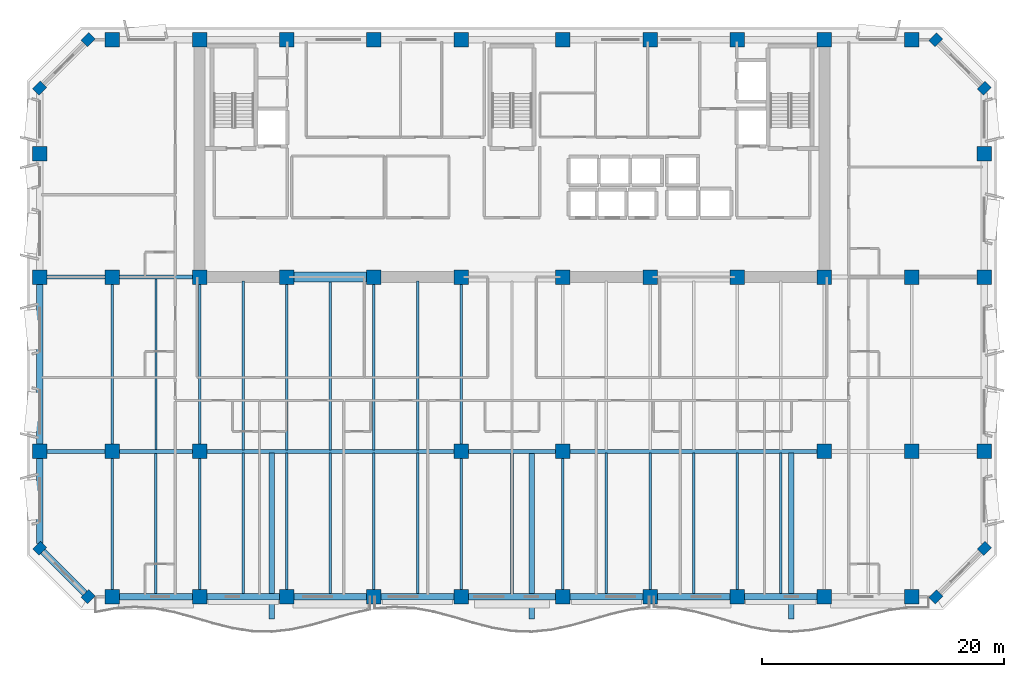
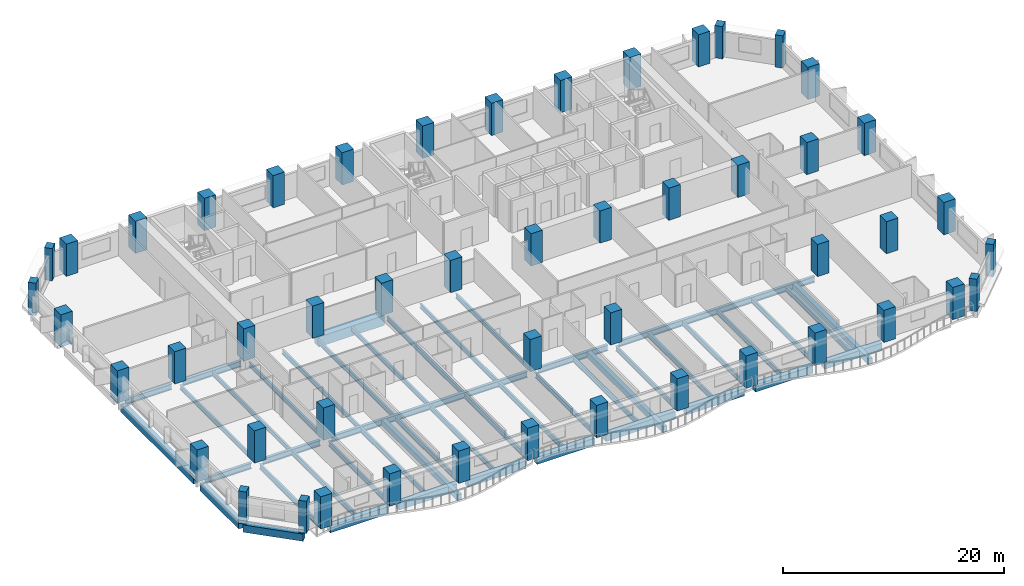
# One storey, part 1 of 14: 50 columns, 47 beams.
"""IFC4 building model written with IfcOpenShell, lengths in metres."""

from ifc_helpers import new_model, si_unit, direction, frame, origin, origin_2d, place, context, subcontext, project, spatial, rectangle, i_section, extrude, material, material_profile, profile_set, type_object, element, save


model = new_model("IFC4")

# Units and contexts
model_context = context("Model", 3, precision=1e-05, world=origin(), true_north=direction((0.0, 1.0)))
body_context = subcontext(model_context, "Body", "Model", "MODEL_VIEW")
ifc_project = project(units=[si_unit("LENGTHUNIT", "METRE"), si_unit("AREAUNIT", "SQUARE_METRE"), si_unit("VOLUMEUNIT", "CUBIC_METRE"), si_unit("PLANEANGLEUNIT", "RADIAN"), si_unit("MASSUNIT", "GRAM", prefix="KILO")], contexts=[model_context])

# Site, building, storey
site_placement = place(None, origin())
site = spatial("IfcSite", under=ifc_project, at=site_placement, CompositionType="ELEMENT")
building_placement = place(site_placement, origin())
building = spatial("IfcBuilding", under=site, at=building_placement, Name="Kaelvorn Grand Hotel", CompositionType="ELEMENT")
storey_placement = place(building_placement, frame((0.0, 0.0, 169.550048828125)))
storey = spatial("IfcBuildingStorey", under=building, at=storey_placement, Name="L41", CompositionType="ELEMENT", Elevation=169.550048828125)

# Columns
ifc_material_1 = material(Name="Concrete C60/75", Category="concrete")
ifc_material_profile_1 = material_profile(ifc_material_1, rectangle(XDim=0.89990234375, YDim=0.75, at=origin_2d()), Name="RC PILASTER 900x750")
ifc_profile_set_1 = profile_set([ifc_material_profile_1], Name="Concrete C60/75")
column_type_1 = type_object("IfcColumnType", Name="COL-PIL-900x750-C60", PredefinedType="PILASTER", material=ifc_profile_set_1)
for number, where, z_axis, x_axis, name in (
    (1, (7.0, 3.0, 0.0), (0.0, 0.0, 1.0), (0.707106781187, 0.707106781187, 0.0), "L41 Structural Column CH-01"),
    (2, (77.0, 3.0, 0.0), (0.0, 0.0, 1.0), (0.707106781187, 0.707106781187, 0.0), "L41 Structural Column CH-02"),
    (3, (81.0, 7.0, 0.0), (0.0, 0.0, 1.0), (0.707106781187, 0.707106781187, 0.0), "L41 Structural Column CH-03"),
    (4, (81.0, 45.0, 0.0), (0.0, 0.0, 1.0), (0.707106781187, 0.707106781187, 0.0), "L41 Structural Column CH-04"),
    (5, (77.0, 49.0, 0.0), (0.0, 0.0, 1.0), (0.707106781187, 0.707106781187, 0.0), "L41 Structural Column CH-05"),
    (6, (7.0, 49.0, 0.0), (0.0, 0.0, 1.0), (0.707106781187, 0.707106781187, 0.0), "L41 Structural Column CH-06"),
    (7, (3.0, 45.0, 0.0), (0.0, 0.0, 1.0), (0.707106781187, 0.707106781187, 0.0), "L41 Structural Column CH-07"),
    (8, (3.0, 7.0, 0.0), (0.0, 0.0, 1.0), (0.707106781187, 0.707106781187, 0.0), "L41 Structural Column CH-08"),
):
    element("IfcColumn", number, at=place(storey_placement, frame(where, z_axis=z_axis, x_axis=x_axis)), inside=storey, type_object=column_type_1, Name=name, PredefinedType="PILASTER", context=body_context, shape_type="SweptSolid", body=[
        extrude(rectangle(XDim=0.89990234375, YDim=0.75, at=origin_2d()), origin(), (0.0, 0.0, 1.0), 3.56005859375),
    ])
ifc_material_profile_2 = material_profile(ifc_material_1, rectangle(XDim=1.199951171875, YDim=1.199951171875, at=origin_2d()), Name="RC COL 1200x1200")
ifc_profile_set_2 = profile_set([ifc_material_profile_2], Name="Concrete C60/75")
column_type_2 = type_object("IfcColumnType", Name="COL-RC-1200-C60", PredefinedType="COLUMN", material=ifc_profile_set_2)
for number, where, z_axis, x_axis, name in (
    (9, (9.0, 3.0, 0.0), (0.0, 0.0, 1.0), (1.0, 0.0, 0.0), "L41 Structural Column S-01"),
    (10, (16.199951171875, 3.0, 0.0), (0.0, 0.0, 1.0), (1.0, 0.0, 0.0), "L41 Structural Column S-02"),
    (11, (23.39990234375, 3.0, 0.0), (0.0, 0.0, 1.0), (1.0, 0.0, 0.0), "L41 Structural Column S-03"),
    (12, (30.60009765625, 3.0, 0.0), (0.0, 0.0, 1.0), (1.0, 0.0, 0.0), "L41 Structural Column S-04"),
    (13, (37.800048828125, 3.0, 0.0), (0.0, 0.0, 1.0), (1.0, 0.0, 0.0), "L41 Structural Column S-05"),
    (14, (46.199951171875, 3.0, 0.0), (0.0, 0.0, 1.0), (1.0, 0.0, 0.0), "L41 Structural Column S-06"),
    (15, (53.39990234375, 3.0, 0.0), (0.0, 0.0, 1.0), (1.0, 0.0, 0.0), "L41 Structural Column S-07"),
    (16, (60.60009765625, 3.0, 0.0), (0.0, 0.0, 1.0), (1.0, 0.0, 0.0), "L41 Structural Column S-08"),
    (17, (67.800048828125, 3.0, 0.0), (0.0, 0.0, 1.0), (1.0, 0.0, 0.0), "L41 Structural Column S-09"),
    (18, (75.0, 3.0, 0.0), (0.0, 0.0, 1.0), (1.0, 0.0, 0.0), "L41 Structural Column S-10"),
    (19, (3.0, 15.0, 0.0), (0.0, 0.0, 1.0), (1.0, 0.0, 0.0), "L41 Structural Column W-01"),
    (20, (81.0, 15.0, 0.0), (0.0, 0.0, 1.0), (1.0, 0.0, 0.0), "L41 Structural Column E-01"),
    (21, (3.0, 29.39990234375, 0.0), (0.0, 0.0, 1.0), (1.0, 0.0, 0.0), "L41 Structural Column W-02"),
    (22, (81.0, 29.39990234375, 0.0), (0.0, 0.0, 1.0), (1.0, 0.0, 0.0), "L41 Structural Column E-02"),
    (23, (3.0, 39.60009765625, 0.0), (0.0, 0.0, 1.0), (1.0, 0.0, 0.0), "L41 Structural Column W-03"),
    (24, (81.0, 39.60009765625, 0.0), (0.0, 0.0, 1.0), (1.0, 0.0, 0.0), "L41 Structural Column E-03"),
    (25, (9.0, 15.0, 0.0), (0.0, 0.0, 1.0), (1.0, 0.0, 0.0), "L41 Structural Column M-01"),
    (26, (16.199951171875, 15.0, 0.0), (0.0, 0.0, 1.0), (1.0, 0.0, 0.0), "L41 Structural Column M-02"),
    (27, (37.800048828125, 15.0, 0.0), (0.0, 0.0, 1.0), (1.0, 0.0, 0.0), "L41 Structural Column M-03"),
    (28, (46.199951171875, 15.0, 0.0), (0.0, 0.0, 1.0), (1.0, 0.0, 0.0), "L41 Structural Column M-04"),
    (29, (67.800048828125, 15.0, 0.0), (0.0, 0.0, 1.0), (1.0, 0.0, 0.0), "L41 Structural Column M-05"),
    (30, (75.0, 15.0, 0.0), (0.0, 0.0, 1.0), (1.0, 0.0, 0.0), "L41 Structural Column M-06"),
    (31, (9.0, 29.39990234375, 0.0), (0.0, 0.0, 1.0), (1.0, 0.0, 0.0), "L41 Structural Column CR1-01"),
    (32, (9.0, 49.0, 0.0), (0.0, 0.0, 1.0), (1.0, 0.0, 0.0), "L41 Structural Column CR2-01"),
    (33, (16.199951171875, 29.39990234375, 0.0), (0.0, 0.0, 1.0), (1.0, 0.0, 0.0), "L41 Structural Column CR1-02"),
    (34, (16.199951171875, 49.0, 0.0), (0.0, 0.0, 1.0), (1.0, 0.0, 0.0), "L41 Structural Column CR2-02"),
    (35, (23.39990234375, 29.39990234375, 0.0), (0.0, 0.0, 1.0), (1.0, 0.0, 0.0), "L41 Structural Column CR1-03"),
    (36, (23.39990234375, 49.0, 0.0), (0.0, 0.0, 1.0), (1.0, 0.0, 0.0), "L41 Structural Column CR2-03"),
    (37, (30.60009765625, 29.39990234375, 0.0), (0.0, 0.0, 1.0), (1.0, 0.0, 0.0), "L41 Structural Column CR1-04"),
    (38, (30.60009765625, 49.0, 0.0), (0.0, 0.0, 1.0), (1.0, 0.0, 0.0), "L41 Structural Column CR2-04"),
    (39, (37.800048828125, 29.39990234375, 0.0), (0.0, 0.0, 1.0), (1.0, 0.0, 0.0), "L41 Structural Column CR1-05"),
    (40, (37.800048828125, 49.0, 0.0), (0.0, 0.0, 1.0), (1.0, 0.0, 0.0), "L41 Structural Column CR2-05"),
    (41, (46.199951171875, 29.39990234375, 0.0), (0.0, 0.0, 1.0), (1.0, 0.0, 0.0), "L41 Structural Column CR1-06"),
    (42, (46.199951171875, 49.0, 0.0), (0.0, 0.0, 1.0), (1.0, 0.0, 0.0), "L41 Structural Column CR2-06"),
    (43, (53.39990234375, 29.39990234375, 0.0), (0.0, 0.0, 1.0), (1.0, 0.0, 0.0), "L41 Structural Column CR1-07"),
    (44, (53.39990234375, 49.0, 0.0), (0.0, 0.0, 1.0), (1.0, 0.0, 0.0), "L41 Structural Column CR2-07"),
    (45, (60.60009765625, 29.39990234375, 0.0), (0.0, 0.0, 1.0), (1.0, 0.0, 0.0), "L41 Structural Column CR1-08"),
    (46, (60.60009765625, 49.0, 0.0), (0.0, 0.0, 1.0), (1.0, 0.0, 0.0), "L41 Structural Column CR2-08"),
    (47, (67.800048828125, 29.39990234375, 0.0), (0.0, 0.0, 1.0), (1.0, 0.0, 0.0), "L41 Structural Column CR1-09"),
    (48, (67.800048828125, 49.0, 0.0), (0.0, 0.0, 1.0), (1.0, 0.0, 0.0), "L41 Structural Column CR2-09"),
    (49, (75.0, 29.39990234375, 0.0), (0.0, 0.0, 1.0), (1.0, 0.0, 0.0), "L41 Structural Column CR1-10"),
    (50, (75.0, 49.0, 0.0), (0.0, 0.0, 1.0), (1.0, 0.0, 0.0), "L41 Structural Column CR2-10"),
):
    element("IfcColumn", number, at=place(storey_placement, frame(where, z_axis=z_axis, x_axis=x_axis)), inside=storey, type_object=column_type_2, Name=name, PredefinedType="COLUMN", context=body_context, shape_type="SweptSolid", body=[
        extrude(rectangle(XDim=1.199951171875, YDim=1.199951171875, at=origin_2d()), origin(), (0.0, 0.0, 1.0), 3.56005859375),
    ])

# Beams
ifc_material_2 = material(Name="Steel S355", Category="steel")
ifc_material_profile_3 = material_profile(ifc_material_2, i_section(OverallWidth=0.300048828125, OverallDepth=0.64990234375, WebThickness=0.01611328125, FlangeThickness=0.031005859375, FilletRadius=0.027099609375, at=origin_2d()), Name="HEB 650")
ifc_profile_set_3 = profile_set([ifc_material_profile_3], Name="Steel S355")
beam_type_1 = type_object("IfcBeamType", Name="BM-G-HEB650-S355", PredefinedType="BEAM", material=ifc_profile_set_3)
beam_1_placement = place(storey_placement, frame((3.5849609375, 15.0, -0.56494140625), z_axis=(1.0, 0.0, 0.0), x_axis=(0.0, 1.0, 0.0)))
element("IfcBeam", 51, at=beam_1_placement, inside=storey, type_object=beam_type_1, Name="L41 Primary Spine Steel Girder G-15 01", PredefinedType="BEAM", context=body_context, shape_type="SweptSolid", body=[
    extrude(i_section(OverallWidth=0.300048828125, OverallDepth=0.64990234375, WebThickness=0.01611328125, FlangeThickness=0.031005859375, FilletRadius=0.027099609375, at=origin_2d()), origin(), (0.0, 0.0, 1.0), 4.830078125),
])
beam_2_placement = place(storey_placement, frame((9.5849609375, 15.0, -0.56494140625), z_axis=(1.0, 0.0, 0.0), x_axis=(0.0, 1.0, 0.0)))
element("IfcBeam", 52, at=beam_2_placement, inside=storey, type_object=beam_type_1, Name="L41 Primary Spine Steel Girder G-15 02", PredefinedType="BEAM", context=body_context, shape_type="SweptSolid", body=[
    extrude(i_section(OverallWidth=0.300048828125, OverallDepth=0.64990234375, WebThickness=0.01611328125, FlangeThickness=0.031005859375, FilletRadius=0.027099609375, at=origin_2d()), origin(), (0.0, 0.0, 1.0), 6.030029296875),
])
beam_3_placement = place(storey_placement, frame((16.784912109375, 15.0, -0.56494140625), z_axis=(1.0, 0.0, 0.0), x_axis=(0.0, 1.0, 0.0)))
element("IfcBeam", 53, at=beam_3_placement, inside=storey, type_object=beam_type_1, Name="L41 Primary Spine Steel Girder G-15 03", PredefinedType="BEAM", context=body_context, shape_type="SweptSolid", body=[
    extrude(i_section(OverallWidth=0.300048828125, OverallDepth=0.64990234375, WebThickness=0.01611328125, FlangeThickness=0.031005859375, FilletRadius=0.027099609375, at=origin_2d()), origin(), (0.0, 0.0, 1.0), 20.43017578125),
])
beam_4_placement = place(storey_placement, frame((38.385009765625, 15.0, -0.56494140625), z_axis=(1.0, 0.0, 0.0), x_axis=(0.0, 1.0, 0.0)))
element("IfcBeam", 54, at=beam_4_placement, inside=storey, type_object=beam_type_1, Name="L41 Primary Spine Steel Girder G-15 04", PredefinedType="BEAM", context=body_context, shape_type="SweptSolid", body=[
    extrude(i_section(OverallWidth=0.300048828125, OverallDepth=0.64990234375, WebThickness=0.01611328125, FlangeThickness=0.031005859375, FilletRadius=0.027099609375, at=origin_2d()), origin(), (0.0, 0.0, 1.0), 7.22998046875),
])
beam_5_placement = place(storey_placement, frame((46.784912109375, 15.0, -0.56494140625), z_axis=(1.0, 0.0, 0.0), x_axis=(0.0, 1.0, 0.0)))
element("IfcBeam", 55, at=beam_5_placement, inside=storey, type_object=beam_type_1, Name="L41 Primary Spine Steel Girder G-15 05", PredefinedType="BEAM", context=body_context, shape_type="SweptSolid", body=[
    extrude(i_section(OverallWidth=0.300048828125, OverallDepth=0.64990234375, WebThickness=0.01611328125, FlangeThickness=0.031005859375, FilletRadius=0.027099609375, at=origin_2d()), origin(), (0.0, 0.0, 1.0), 20.43017578125),
])
beam_6_placement = place(storey_placement, frame((3.5849609375, 29.39990234375, -0.56494140625), z_axis=(1.0, 0.0, 0.0), x_axis=(0.0, 1.0, 0.0)))
element("IfcBeam", 56, at=beam_6_placement, inside=storey, type_object=beam_type_1, Name="L41 West Core Wing Steel Girder G-29W 01", PredefinedType="BEAM", context=body_context, shape_type="SweptSolid", body=[
    extrude(i_section(OverallWidth=0.300048828125, OverallDepth=0.64990234375, WebThickness=0.01611328125, FlangeThickness=0.031005859375, FilletRadius=0.027099609375, at=origin_2d()), origin(), (0.0, 0.0, 1.0), 4.830078125),
])
beam_7_placement = place(storey_placement, frame((9.5849609375, 29.39990234375, -0.56494140625), z_axis=(1.0, 0.0, 0.0), x_axis=(0.0, 1.0, 0.0)))
element("IfcBeam", 57, at=beam_7_placement, inside=storey, type_object=beam_type_1, Name="L41 West Core Wing Steel Girder G-29W 02", PredefinedType="BEAM", context=body_context, shape_type="SweptSolid", body=[
    extrude(i_section(OverallWidth=0.300048828125, OverallDepth=0.64990234375, WebThickness=0.01611328125, FlangeThickness=0.031005859375, FilletRadius=0.027099609375, at=origin_2d()), origin(), (0.0, 0.0, 1.0), 6.030029296875),
])
ifc_material_profile_4 = material_profile(ifc_material_2, i_section(OverallWidth=0.199951171875, OverallDepth=0.5, WebThickness=0.01025390625, FlangeThickness=0.01611328125, FilletRadius=0.02099609375, at=origin_2d()), Name="IPE 500")
ifc_profile_set_4 = profile_set([ifc_material_profile_4], Name="Steel S355")
beam_type_2 = type_object("IfcBeamType", Name="BM-J-IPE500-S355", PredefinedType="JOIST", material=ifc_profile_set_4)
beam_8_placement = place(storey_placement, frame((9.0, 15.5849609375, -0.489990234375), z_axis=(0.0, 1.0, 0.0), x_axis=(-1.0, 0.0, 0.0)))
element("IfcBeam", 58, at=beam_8_placement, inside=storey, type_object=beam_type_2, Name="L41 Composite Floor Joist JM-03", PredefinedType="JOIST", context=body_context, shape_type="SweptSolid", body=[
    extrude(i_section(OverallWidth=0.199951171875, OverallDepth=0.5, WebThickness=0.01025390625, FlangeThickness=0.01611328125, FilletRadius=0.02099609375, at=origin_2d()), origin(), (0.0, 0.0, 1.0), 13.22998046875),
])
beam_9_placement = place(storey_placement, frame((12.60009765625, 15.135009765625, -0.489990234375), z_axis=(0.0, 1.0, 0.0), x_axis=(-1.0, 0.0, 0.0)))
element("IfcBeam", 59, at=beam_9_placement, inside=storey, type_object=beam_type_2, Name="L41 Composite Floor Joist JM-04", PredefinedType="JOIST", context=body_context, shape_type="SweptSolid", body=[
    extrude(i_section(OverallWidth=0.199951171875, OverallDepth=0.5, WebThickness=0.01025390625, FlangeThickness=0.01611328125, FilletRadius=0.02099609375, at=origin_2d()), origin(), (0.0, 0.0, 1.0), 14.1298828125),
])
beam_10_placement = place(storey_placement, frame((16.199951171875, 15.5849609375, -0.489990234375), z_axis=(0.0, 1.0, 0.0), x_axis=(-1.0, 0.0, 0.0)))
element("IfcBeam", 60, at=beam_10_placement, inside=storey, type_object=beam_type_2, Name="L41 Composite Floor Joist JM-05", PredefinedType="JOIST", context=body_context, shape_type="SweptSolid", body=[
    extrude(i_section(OverallWidth=0.199951171875, OverallDepth=0.5, WebThickness=0.01025390625, FlangeThickness=0.01611328125, FilletRadius=0.02099609375, at=origin_2d()), origin(), (0.0, 0.0, 1.0), 13.22998046875),
])
beam_11_placement = place(storey_placement, frame((19.800048828125, 15.135009765625, -0.489990234375), z_axis=(0.0, 1.0, 0.0), x_axis=(-1.0, 0.0, 0.0)))
element("IfcBeam", 61, at=beam_11_placement, inside=storey, type_object=beam_type_2, Name="L41 Composite Floor Joist JM-06", PredefinedType="JOIST", context=body_context, shape_type="SweptSolid", body=[
    extrude(i_section(OverallWidth=0.199951171875, OverallDepth=0.5, WebThickness=0.01025390625, FlangeThickness=0.01611328125, FilletRadius=0.02099609375, at=origin_2d()), origin(), (0.0, 0.0, 1.0), 13.925048828125),
])
beam_12_placement = place(storey_placement, frame((23.39990234375, 15.135009765625, -0.489990234375), z_axis=(0.0, 1.0, 0.0), x_axis=(-1.0, 0.0, 0.0)))
element("IfcBeam", 62, at=beam_12_placement, inside=storey, type_object=beam_type_2, Name="L41 Composite Floor Joist JM-07", PredefinedType="JOIST", context=body_context, shape_type="SweptSolid", body=[
    extrude(i_section(OverallWidth=0.199951171875, OverallDepth=0.5, WebThickness=0.01025390625, FlangeThickness=0.01611328125, FilletRadius=0.02099609375, at=origin_2d()), origin(), (0.0, 0.0, 1.0), 13.679931640625),
])
beam_13_placement = place(storey_placement, frame((27.0, 15.135009765625, -0.489990234375), z_axis=(0.0, 1.0, 0.0), x_axis=(-1.0, 0.0, 0.0)))
element("IfcBeam", 63, at=beam_13_placement, inside=storey, type_object=beam_type_2, Name="L41 Composite Floor Joist JM-08", PredefinedType="JOIST", context=body_context, shape_type="SweptSolid", body=[
    extrude(i_section(OverallWidth=0.199951171875, OverallDepth=0.5, WebThickness=0.01025390625, FlangeThickness=0.01611328125, FilletRadius=0.02099609375, at=origin_2d()), origin(), (0.0, 0.0, 1.0), 13.925048828125),
])
beam_14_placement = place(storey_placement, frame((30.60009765625, 15.135009765625, -0.489990234375), z_axis=(0.0, 1.0, 0.0), x_axis=(-1.0, 0.0, 0.0)))
element("IfcBeam", 64, at=beam_14_placement, inside=storey, type_object=beam_type_2, Name="L41 Composite Floor Joist JM-09", PredefinedType="JOIST", context=body_context, shape_type="SweptSolid", body=[
    extrude(i_section(OverallWidth=0.199951171875, OverallDepth=0.5, WebThickness=0.01025390625, FlangeThickness=0.01611328125, FilletRadius=0.02099609375, at=origin_2d()), origin(), (0.0, 0.0, 1.0), 13.679931640625),
])
beam_15_placement = place(storey_placement, frame((34.199951171875, 15.135009765625, -0.489990234375), z_axis=(0.0, 1.0, 0.0), x_axis=(-1.0, 0.0, 0.0)))
element("IfcBeam", 65, at=beam_15_placement, inside=storey, type_object=beam_type_2, Name="L41 Composite Floor Joist JM-10", PredefinedType="JOIST", context=body_context, shape_type="SweptSolid", body=[
    extrude(i_section(OverallWidth=0.199951171875, OverallDepth=0.5, WebThickness=0.01025390625, FlangeThickness=0.01611328125, FilletRadius=0.02099609375, at=origin_2d()), origin(), (0.0, 0.0, 1.0), 13.925048828125),
])
beam_16_placement = place(storey_placement, frame((37.800048828125, 15.5849609375, -0.489990234375), z_axis=(0.0, 1.0, 0.0), x_axis=(-1.0, 0.0, 0.0)))
element("IfcBeam", 66, at=beam_16_placement, inside=storey, type_object=beam_type_2, Name="L41 Composite Floor Joist JM-11", PredefinedType="JOIST", context=body_context, shape_type="SweptSolid", body=[
    extrude(i_section(OverallWidth=0.199951171875, OverallDepth=0.5, WebThickness=0.01025390625, FlangeThickness=0.01611328125, FilletRadius=0.02099609375, at=origin_2d()), origin(), (0.0, 0.0, 1.0), 13.22998046875),
])
ifc_material_profile_5 = material_profile(ifc_material_2, i_section(OverallWidth=0.2099609375, OverallDepth=0.550048828125, WebThickness=0.010986328125, FlangeThickness=0.01708984375, FilletRadius=0.02392578125, at=origin_2d()), Name="IPE 550")
ifc_profile_set_5 = profile_set([ifc_material_profile_5], Name="Steel S355")
beam_type_3 = type_object("IfcBeamType", Name="BM-J-IPE550-S355", PredefinedType="JOIST", material=ifc_profile_set_5)
beam_17_placement = place(storey_placement, frame((9.0, 3.5849609375, -0.51513671875), z_axis=(0.0, 1.0, 0.0), x_axis=(-1.0, 0.0, 0.0)))
element("IfcBeam", 67, at=beam_17_placement, inside=storey, type_object=beam_type_3, Name="L41 Composite Floor Joist JS-03", PredefinedType="JOIST", context=body_context, shape_type="SweptSolid", body=[
    extrude(i_section(OverallWidth=0.2099609375, OverallDepth=0.550048828125, WebThickness=0.010986328125, FlangeThickness=0.01708984375, FilletRadius=0.02392578125, at=origin_2d()), origin(), (0.0, 0.0, 1.0), 10.830078125),
])
beam_18_placement = place(storey_placement, frame((12.60009765625, 3.260009765625, -0.51513671875), z_axis=(0.0, 1.0, 0.0), x_axis=(-1.0, 0.0, 0.0)))
element("IfcBeam", 68, at=beam_18_placement, inside=storey, type_object=beam_type_3, Name="L41 Composite Floor Joist JS-04", PredefinedType="JOIST", context=body_context, shape_type="SweptSolid", body=[
    extrude(i_section(OverallWidth=0.2099609375, OverallDepth=0.550048828125, WebThickness=0.010986328125, FlangeThickness=0.01708984375, FilletRadius=0.02392578125, at=origin_2d()), origin(), (0.0, 0.0, 1.0), 11.60498046875),
])
beam_19_placement = place(storey_placement, frame((16.199951171875, 3.5849609375, -0.51513671875), z_axis=(0.0, 1.0, 0.0), x_axis=(-1.0, 0.0, 0.0)))
element("IfcBeam", 69, at=beam_19_placement, inside=storey, type_object=beam_type_3, Name="L41 Composite Floor Joist JS-05", PredefinedType="JOIST", context=body_context, shape_type="SweptSolid", body=[
    extrude(i_section(OverallWidth=0.2099609375, OverallDepth=0.550048828125, WebThickness=0.010986328125, FlangeThickness=0.01708984375, FilletRadius=0.02392578125, at=origin_2d()), origin(), (0.0, 0.0, 1.0), 10.830078125),
])
beam_20_placement = place(storey_placement, frame((19.800048828125, 3.260009765625, -0.51513671875), z_axis=(0.0, 1.0, 0.0), x_axis=(-1.0, 0.0, 0.0)))
element("IfcBeam", 70, at=beam_20_placement, inside=storey, type_object=beam_type_3, Name="L41 Composite Floor Joist JS-06", PredefinedType="JOIST", context=body_context, shape_type="SweptSolid", body=[
    extrude(i_section(OverallWidth=0.2099609375, OverallDepth=0.550048828125, WebThickness=0.010986328125, FlangeThickness=0.01708984375, FilletRadius=0.02392578125, at=origin_2d()), origin(), (0.0, 0.0, 1.0), 11.60498046875),
])
beam_21_placement = place(storey_placement, frame((23.39990234375, 3.5849609375, -0.51513671875), z_axis=(0.0, 1.0, 0.0), x_axis=(-1.0, 0.0, 0.0)))
element("IfcBeam", 71, at=beam_21_placement, inside=storey, type_object=beam_type_3, Name="L41 Composite Floor Joist JS-07", PredefinedType="JOIST", context=body_context, shape_type="SweptSolid", body=[
    extrude(i_section(OverallWidth=0.2099609375, OverallDepth=0.550048828125, WebThickness=0.010986328125, FlangeThickness=0.01708984375, FilletRadius=0.02392578125, at=origin_2d()), origin(), (0.0, 0.0, 1.0), 11.280029296875),
])
beam_22_placement = place(storey_placement, frame((27.0, 3.260009765625, -0.51513671875), z_axis=(0.0, 1.0, 0.0), x_axis=(-1.0, 0.0, 0.0)))
element("IfcBeam", 72, at=beam_22_placement, inside=storey, type_object=beam_type_3, Name="L41 Composite Floor Joist JS-08", PredefinedType="JOIST", context=body_context, shape_type="SweptSolid", body=[
    extrude(i_section(OverallWidth=0.2099609375, OverallDepth=0.550048828125, WebThickness=0.010986328125, FlangeThickness=0.01708984375, FilletRadius=0.02392578125, at=origin_2d()), origin(), (0.0, 0.0, 1.0), 11.60498046875),
])
beam_23_placement = place(storey_placement, frame((30.60009765625, 3.5849609375, -0.51513671875), z_axis=(0.0, 1.0, 0.0), x_axis=(-1.0, 0.0, 0.0)))
element("IfcBeam", 73, at=beam_23_placement, inside=storey, type_object=beam_type_3, Name="L41 Composite Floor Joist JS-09", PredefinedType="JOIST", context=body_context, shape_type="SweptSolid", body=[
    extrude(i_section(OverallWidth=0.2099609375, OverallDepth=0.550048828125, WebThickness=0.010986328125, FlangeThickness=0.01708984375, FilletRadius=0.02392578125, at=origin_2d()), origin(), (0.0, 0.0, 1.0), 11.280029296875),
])
beam_24_placement = place(storey_placement, frame((34.199951171875, 3.260009765625, -0.51513671875), z_axis=(0.0, 1.0, 0.0), x_axis=(-1.0, 0.0, 0.0)))
element("IfcBeam", 74, at=beam_24_placement, inside=storey, type_object=beam_type_3, Name="L41 Composite Floor Joist JS-10", PredefinedType="JOIST", context=body_context, shape_type="SweptSolid", body=[
    extrude(i_section(OverallWidth=0.2099609375, OverallDepth=0.550048828125, WebThickness=0.010986328125, FlangeThickness=0.01708984375, FilletRadius=0.02392578125, at=origin_2d()), origin(), (0.0, 0.0, 1.0), 11.60498046875),
])
beam_25_placement = place(storey_placement, frame((37.800048828125, 3.5849609375, -0.51513671875), z_axis=(0.0, 1.0, 0.0), x_axis=(-1.0, 0.0, 0.0)))
element("IfcBeam", 75, at=beam_25_placement, inside=storey, type_object=beam_type_3, Name="L41 Composite Floor Joist JS-11", PredefinedType="JOIST", context=body_context, shape_type="SweptSolid", body=[
    extrude(i_section(OverallWidth=0.2099609375, OverallDepth=0.550048828125, WebThickness=0.010986328125, FlangeThickness=0.01708984375, FilletRadius=0.02392578125, at=origin_2d()), origin(), (0.0, 0.0, 1.0), 10.830078125),
])
beam_26_placement = place(storey_placement, frame((42.0, 3.260009765625, -0.51513671875), z_axis=(0.0, 1.0, 0.0), x_axis=(-1.0, 0.0, 0.0)))
element("IfcBeam", 76, at=beam_26_placement, inside=storey, type_object=beam_type_3, Name="L41 Composite Floor Joist JS-12", PredefinedType="JOIST", context=body_context, shape_type="SweptSolid", body=[
    extrude(i_section(OverallWidth=0.2099609375, OverallDepth=0.550048828125, WebThickness=0.010986328125, FlangeThickness=0.01708984375, FilletRadius=0.02392578125, at=origin_2d()), origin(), (0.0, 0.0, 1.0), 11.60498046875),
])
beam_27_placement = place(storey_placement, frame((46.199951171875, 3.5849609375, -0.51513671875), z_axis=(0.0, 1.0, 0.0), x_axis=(-1.0, 0.0, 0.0)))
element("IfcBeam", 77, at=beam_27_placement, inside=storey, type_object=beam_type_3, Name="L41 Composite Floor Joist JS-13", PredefinedType="JOIST", context=body_context, shape_type="SweptSolid", body=[
    extrude(i_section(OverallWidth=0.2099609375, OverallDepth=0.550048828125, WebThickness=0.010986328125, FlangeThickness=0.01708984375, FilletRadius=0.02392578125, at=origin_2d()), origin(), (0.0, 0.0, 1.0), 10.830078125),
])
beam_28_placement = place(storey_placement, frame((49.800048828125, 3.260009765625, -0.51513671875), z_axis=(0.0, 1.0, 0.0), x_axis=(-1.0, 0.0, 0.0)))
element("IfcBeam", 78, at=beam_28_placement, inside=storey, type_object=beam_type_3, Name="L41 Composite Floor Joist JS-14", PredefinedType="JOIST", context=body_context, shape_type="SweptSolid", body=[
    extrude(i_section(OverallWidth=0.2099609375, OverallDepth=0.550048828125, WebThickness=0.010986328125, FlangeThickness=0.01708984375, FilletRadius=0.02392578125, at=origin_2d()), origin(), (0.0, 0.0, 1.0), 11.60498046875),
])
beam_29_placement = place(storey_placement, frame((53.39990234375, 3.5849609375, -0.51513671875), z_axis=(0.0, 1.0, 0.0), x_axis=(-1.0, 0.0, 0.0)))
element("IfcBeam", 79, at=beam_29_placement, inside=storey, type_object=beam_type_3, Name="L41 Composite Floor Joist JS-15", PredefinedType="JOIST", context=body_context, shape_type="SweptSolid", body=[
    extrude(i_section(OverallWidth=0.2099609375, OverallDepth=0.550048828125, WebThickness=0.010986328125, FlangeThickness=0.01708984375, FilletRadius=0.02392578125, at=origin_2d()), origin(), (0.0, 0.0, 1.0), 11.280029296875),
])
beam_30_placement = place(storey_placement, frame((57.0, 3.260009765625, -0.51513671875), z_axis=(0.0, 1.0, 0.0), x_axis=(-1.0, 0.0, 0.0)))
element("IfcBeam", 80, at=beam_30_placement, inside=storey, type_object=beam_type_3, Name="L41 Composite Floor Joist JS-16", PredefinedType="JOIST", context=body_context, shape_type="SweptSolid", body=[
    extrude(i_section(OverallWidth=0.2099609375, OverallDepth=0.550048828125, WebThickness=0.010986328125, FlangeThickness=0.01708984375, FilletRadius=0.02392578125, at=origin_2d()), origin(), (0.0, 0.0, 1.0), 11.60498046875),
])
beam_31_placement = place(storey_placement, frame((60.60009765625, 3.5849609375, -0.51513671875), z_axis=(0.0, 1.0, 0.0), x_axis=(-1.0, 0.0, 0.0)))
element("IfcBeam", 81, at=beam_31_placement, inside=storey, type_object=beam_type_3, Name="L41 Composite Floor Joist JS-17", PredefinedType="JOIST", context=body_context, shape_type="SweptSolid", body=[
    extrude(i_section(OverallWidth=0.2099609375, OverallDepth=0.550048828125, WebThickness=0.010986328125, FlangeThickness=0.01708984375, FilletRadius=0.02392578125, at=origin_2d()), origin(), (0.0, 0.0, 1.0), 11.280029296875),
])
beam_32_placement = place(storey_placement, frame((64.199951171875, 3.260009765625, -0.51513671875), z_axis=(0.0, 1.0, 0.0), x_axis=(-1.0, 0.0, 0.0)))
element("IfcBeam", 82, at=beam_32_placement, inside=storey, type_object=beam_type_3, Name="L41 Composite Floor Joist JS-18", PredefinedType="JOIST", context=body_context, shape_type="SweptSolid", body=[
    extrude(i_section(OverallWidth=0.2099609375, OverallDepth=0.550048828125, WebThickness=0.010986328125, FlangeThickness=0.01708984375, FilletRadius=0.02392578125, at=origin_2d()), origin(), (0.0, 0.0, 1.0), 11.60498046875),
])
ifc_material_profile_6 = material_profile(ifc_material_1, rectangle(XDim=0.800048828125, YDim=1.10009765625, at=origin_2d()), Name="RC LINTEL 800x1100")
ifc_profile_set_6 = profile_set([ifc_material_profile_6], Name="Concrete C60/75")
beam_type_4 = type_object("IfcBeamType", Name="BM-LIN-800x1100-C60", PredefinedType="LINTEL", material=ifc_profile_set_6)
beam_33_placement = place(storey_placement, frame((23.580078125, 29.39990234375, -0.7900390625), z_axis=(1.0, 0.0, 0.0), x_axis=(0.0, 1.0, 0.0)))
element("IfcBeam", 83, at=beam_33_placement, inside=storey, type_object=beam_type_4, Name="L41 Rear-Core Coupling Lintel Beam CB1-01", PredefinedType="LINTEL", context=body_context, shape_type="SweptSolid", body=[
    extrude(rectangle(XDim=0.800048828125, YDim=1.10009765625, at=origin_2d()), origin(), (0.0, 0.0, 1.0), 6.83984375),
])
ifc_material_3 = material(Name="Concrete C40/50", Category="concrete")
ifc_material_profile_7 = material_profile(ifc_material_3, rectangle(XDim=0.449951171875, YDim=0.64990234375, at=origin_2d()), Name="RC RIB 450x650")
ifc_profile_set_7 = profile_set([ifc_material_profile_7], Name="Concrete C40/50")
beam_type_5 = type_object("IfcBeamType", Name="BM-RIB-450x650-C40", PredefinedType="SPANDREL", material=ifc_profile_set_7)
for number, where, z_axis, x_axis, name in (
    (84, (22.17138671875, 1.14990234375, -0.545166015625), (0.0, 1.0, 0.0), (-1.0, 0.0, 0.0), "L41 Cantilevered Balcony Back-Span Rib RB1-1"),
    (85, (43.618896484375, 1.14990234375, -0.545166015625), (0.0, 1.0, 0.0), (-1.0, 0.0, 0.0), "L41 Cantilevered Balcony Back-Span Rib RB1-2"),
    (86, (65.066650390625, 1.14990234375, -0.545166015625), (0.0, 1.0, 0.0), (-1.0, 0.0, 0.0), "L41 Cantilevered Balcony Back-Span Rib RB1-3"),
):
    element("IfcBeam", number, at=place(storey_placement, frame(where, z_axis=z_axis, x_axis=x_axis)), inside=storey, type_object=beam_type_5, Name=name, PredefinedType="SPANDREL", context=body_context, shape_type="SweptSolid", body=[
        extrude(rectangle(XDim=0.449951171875, YDim=0.64990234375, at=origin_2d()), origin(), (0.0, 0.0, 1.0), 13.715087890625),
    ])
ifc_material_4 = material(Name="Concrete C50/60", Category="concrete")
ifc_material_profile_8 = material_profile(ifc_material_4, rectangle(XDim=0.550048828125, YDim=0.800048828125, at=origin_2d()), Name="RC SPANDREL 550x800")
ifc_profile_set_8 = profile_set([ifc_material_profile_8], Name="Concrete C50/60")
beam_type_6 = type_object("IfcBeamType", Name="BM-SP-550x800-C50", PredefinedType="SPANDREL", material=ifc_profile_set_8)
for number, where, z_axis, x_axis, name in (
    (87, (9.5849609375, 3.0, -0.64013671875), (1.0, 0.0, 0.0), (0.0, 1.0, 0.0), "L41 South Perimeter Spandrel 02"),
    (88, (16.784912109375, 3.0, -0.64013671875), (1.0, 0.0, 0.0), (0.0, 1.0, 0.0), "L41 South Perimeter Spandrel 03"),
):
    element("IfcBeam", number, at=place(storey_placement, frame(where, z_axis=z_axis, x_axis=x_axis)), inside=storey, type_object=beam_type_6, Name=name, PredefinedType="SPANDREL", context=body_context, shape_type="SweptSolid", body=[
        extrude(rectangle(XDim=0.550048828125, YDim=0.800048828125, at=origin_2d()), origin(), (0.0, 0.0, 1.0), 6.030029296875),
    ])
beam_34_placement = place(storey_placement, frame((23.985107421875, 3.0, -0.64013671875), z_axis=(1.0, 0.0, 0.0), x_axis=(0.0, 1.0, 0.0)))
element("IfcBeam", 89, at=beam_34_placement, inside=storey, type_object=beam_type_6, Name="L41 South Perimeter Spandrel 04", PredefinedType="SPANDREL", context=body_context, shape_type="SweptSolid", body=[
    extrude(rectangle(XDim=0.550048828125, YDim=0.800048828125, at=origin_2d()), origin(), (0.0, 0.0, 1.0), 6.02978515625),
])
beam_35_placement = place(storey_placement, frame((31.18505859375, 3.0, -0.64013671875), z_axis=(1.0, 0.0, 0.0), x_axis=(0.0, 1.0, 0.0)))
element("IfcBeam", 90, at=beam_35_placement, inside=storey, type_object=beam_type_6, Name="L41 South Perimeter Spandrel 05", PredefinedType="SPANDREL", context=body_context, shape_type="SweptSolid", body=[
    extrude(rectangle(XDim=0.550048828125, YDim=0.800048828125, at=origin_2d()), origin(), (0.0, 0.0, 1.0), 6.030029296875),
])
beam_36_placement = place(storey_placement, frame((38.385009765625, 3.0, -0.64013671875), z_axis=(1.0, 0.0, 0.0), x_axis=(0.0, 1.0, 0.0)))
element("IfcBeam", 91, at=beam_36_placement, inside=storey, type_object=beam_type_6, Name="L41 South Perimeter Spandrel 06", PredefinedType="SPANDREL", context=body_context, shape_type="SweptSolid", body=[
    extrude(rectangle(XDim=0.550048828125, YDim=0.800048828125, at=origin_2d()), origin(), (0.0, 0.0, 1.0), 7.22998046875),
])
beam_37_placement = place(storey_placement, frame((46.784912109375, 3.0, -0.64013671875), z_axis=(1.0, 0.0, 0.0), x_axis=(0.0, 1.0, 0.0)))
element("IfcBeam", 92, at=beam_37_placement, inside=storey, type_object=beam_type_6, Name="L41 South Perimeter Spandrel 07", PredefinedType="SPANDREL", context=body_context, shape_type="SweptSolid", body=[
    extrude(rectangle(XDim=0.550048828125, YDim=0.800048828125, at=origin_2d()), origin(), (0.0, 0.0, 1.0), 6.030029296875),
])
beam_38_placement = place(storey_placement, frame((53.985107421875, 3.0, -0.64013671875), z_axis=(1.0, 0.0, 0.0), x_axis=(0.0, 1.0, 0.0)))
element("IfcBeam", 93, at=beam_38_placement, inside=storey, type_object=beam_type_6, Name="L41 South Perimeter Spandrel 08", PredefinedType="SPANDREL", context=body_context, shape_type="SweptSolid", body=[
    extrude(rectangle(XDim=0.550048828125, YDim=0.800048828125, at=origin_2d()), origin(), (0.0, 0.0, 1.0), 6.02978515625),
])
beam_39_placement = place(storey_placement, frame((61.18505859375, 3.0, -0.64013671875), z_axis=(1.0, 0.0, 0.0), x_axis=(0.0, 1.0, 0.0)))
element("IfcBeam", 94, at=beam_39_placement, inside=storey, type_object=beam_type_6, Name="L41 South Perimeter Spandrel 09", PredefinedType="SPANDREL", context=body_context, shape_type="SweptSolid", body=[
    extrude(rectangle(XDim=0.550048828125, YDim=0.800048828125, at=origin_2d()), origin(), (0.0, 0.0, 1.0), 6.030029296875),
])
beam_40_placement = place(storey_placement, frame((3.0, 7.405029296875, -0.64013671875), z_axis=(0.0, 1.0, 0.0), x_axis=(-1.0, 0.0, 0.0)))
element("IfcBeam", 95, at=beam_40_placement, inside=storey, type_object=beam_type_6, Name="L41 West Perimeter Spandrel 01", PredefinedType="SPANDREL", context=body_context, shape_type="SweptSolid", body=[
    extrude(rectangle(XDim=0.550048828125, YDim=0.800048828125, at=origin_2d()), origin(), (0.0, 0.0, 1.0), 7.010009765625),
])
beam_41_placement = place(storey_placement, frame((3.0, 15.5849609375, -0.64013671875), z_axis=(0.0, 1.0, 0.0), x_axis=(-1.0, 0.0, 0.0)))
element("IfcBeam", 96, at=beam_41_placement, inside=storey, type_object=beam_type_6, Name="L41 West Perimeter Spandrel 02", PredefinedType="SPANDREL", context=body_context, shape_type="SweptSolid", body=[
    extrude(rectangle(XDim=0.550048828125, YDim=0.800048828125, at=origin_2d()), origin(), (0.0, 0.0, 1.0), 13.22998046875),
])
beam_42_placement = place(storey_placement, frame((3.0, 7.0, -0.64013671875), z_axis=(0.707106781187, -0.707106781187, 0.0), x_axis=(0.707106781187, 0.707106781187, 0.0)))
element("IfcBeam", 97, at=beam_42_placement, inside=storey, type_object=beam_type_6, Name="L41 Chamfer Spandrel Beam 4", PredefinedType="SPANDREL", context=body_context, shape_type="SweptSolid", body=[
    extrude(rectangle(XDim=0.550048828125, YDim=0.800048828125, at=origin_2d()), origin(), (0.0, 0.0, 1.0), 5.65673828125),
])

save(model, "model.ifc")
